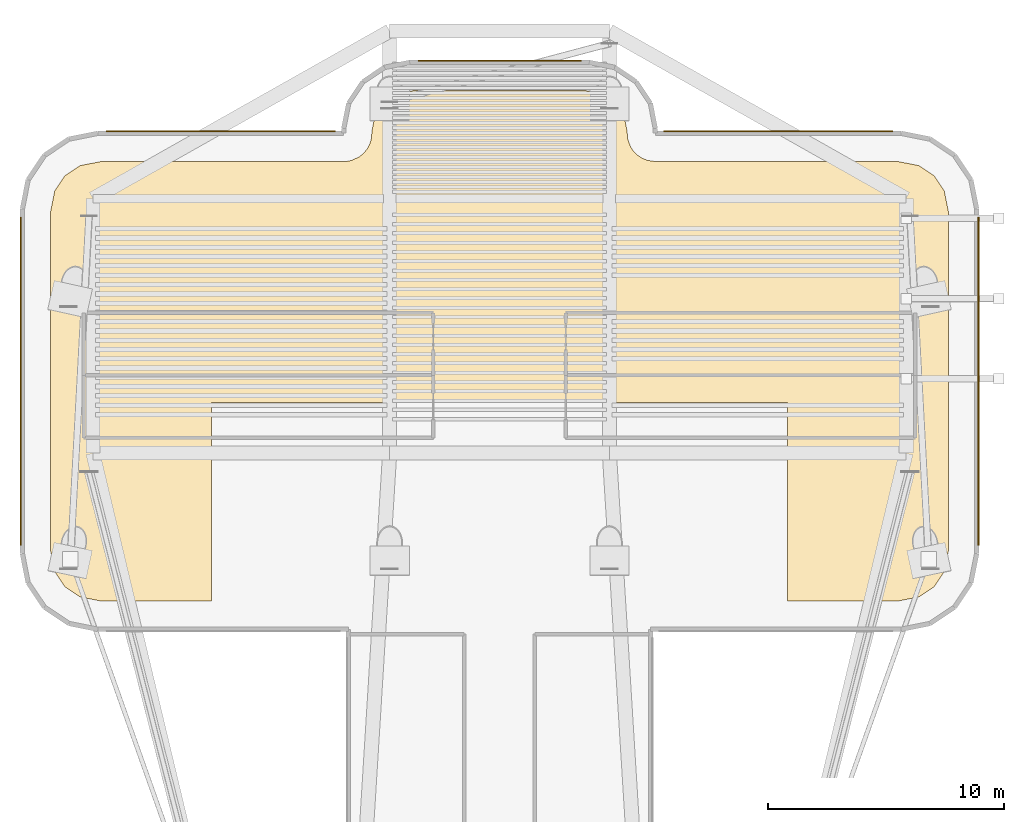
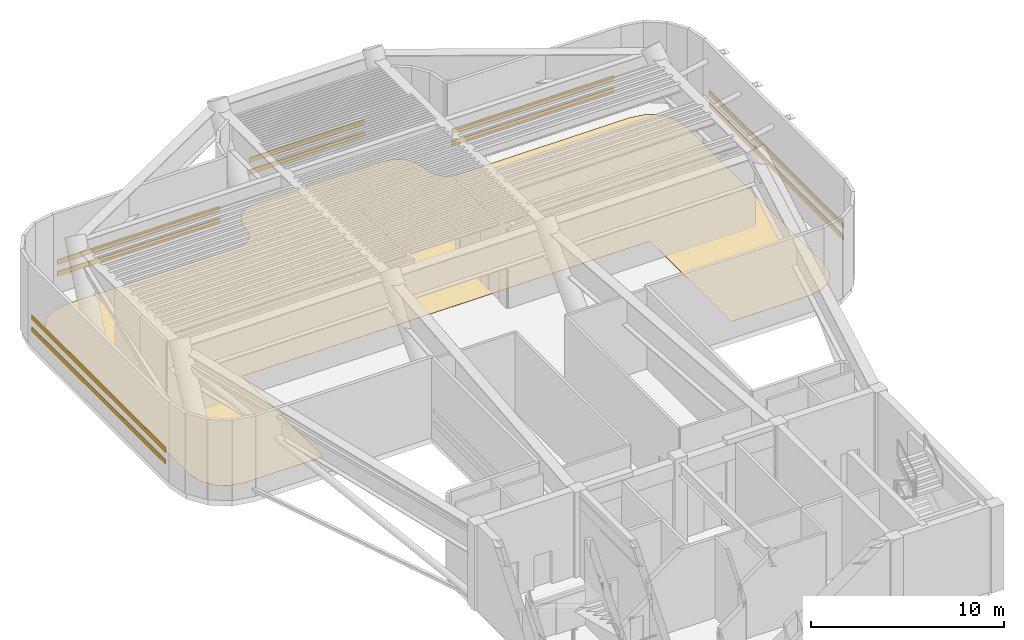
# One storey, part 11 of 11: 10 shading devices, 1 covering.
"""IFC4 building model written with IfcOpenShell, lengths in metres."""

from ifc_helpers import new_model, si_unit, direction, frame, origin, origin_2d, place, context, subcontext, project, spatial, polyline, rectangle, outline, extrude, source, transform, mapped, material, layer, layer_set, material_profile, profile_set, type_object, element, save


model = new_model("IFC4")

# Units and contexts
model_context = context("Model", 3, precision=1e-05, world=origin(), true_north=direction((0.0, 1.0)))
body_context = subcontext(model_context, "Body", "Model", "MODEL_VIEW")
ifc_project = project(units=[si_unit("LENGTHUNIT", "METRE"), si_unit("AREAUNIT", "SQUARE_METRE"), si_unit("VOLUMEUNIT", "CUBIC_METRE"), si_unit("PLANEANGLEUNIT", "RADIAN"), si_unit("MASSUNIT", "GRAM", prefix="KILO")], contexts=[model_context])

# Site, building, storey
site_placement = place(None, origin())
site = spatial("IfcSite", under=ifc_project, at=site_placement, CompositionType="ELEMENT")
building_placement = place(site_placement, origin())
building = spatial("IfcBuilding", under=site, at=building_placement, Name="Brelvock Crest Care Tower", CompositionType="ELEMENT")
storey_placement = place(building_placement, frame((0.0, 0.0, 213.1201171875)))
storey = spatial("IfcBuildingStorey", under=building, at=storey_placement, Name="L54", CompositionType="ELEMENT", Elevation=213.1201171875)

# Covering
ifc_material_1 = material(Name="Elastomeric Waterproofing Membrane", Category="membrane")
ifc_layer = layer(ifc_material_1, 0.011962890625, Name="COV-RFM1")
ifc_layer_set = layer_set([ifc_layer], Name="Elastomeric Waterproofing Membrane")
covering_type = type_object("IfcCoveringType", Name="COV-RFM1", PredefinedType="MEMBRANE", material=ifc_layer_set)
covering_placement = place(storey_placement, frame((0.0, 0.0, 0.015869140625)))
element("IfcCovering", 1, at=covering_placement, inside=storey, type_object=covering_type, Name="L54 Waterproofing Membrane 1", PredefinedType="MEMBRANE", context=body_context, shape_type="SweptSolid", body=[
    extrude(outline(polyline([(23.800048828125, 33.60009765625), (23.800048828125, 42.0), (48.199951171875, 42.0), (48.199951171875, 33.60009765625), (52.8818359375, 33.60009765625), (53.75634765625, 33.77392578125), (54.397705078125, 34.202392578125), (54.825927734375, 34.843505859375), (55.0, 35.71826171875), (55.0, 50.081787109375), (54.825927734375, 50.956298828125), (54.397705078125, 51.59765625), (53.75634765625, 52.02587890625), (52.8818359375, 52.199951171875), (42.60009765625, 52.199951171875), (42.251708984375, 52.251708984375), (42.0341796875, 52.341796875), (41.838623046875, 52.472412109375), (41.67236328125, 52.638671875), (41.541748046875, 52.834228515625), (41.423095703125, 53.166015625), (41.39990234375, 53.481689453125), (41.256591796875, 54.203369140625), (40.914794921875, 54.71484375), (40.4033203125, 55.056396484375), (39.681884765625, 55.199951171875), (32.318115234375, 55.199951171875), (31.5966796875, 55.056396484375), (31.085205078125, 54.71484375), (30.743408203125, 54.203369140625), (30.60009765625, 53.481689453125), (30.576904296875, 53.166015625), (30.5087890625, 52.94091796875), (30.397705078125, 52.7333984375), (30.24853515625, 52.551513671875), (30.066650390625, 52.402099609375), (29.748291015625, 52.251708984375), (29.517578125, 52.205810546875), (19.1181640625, 52.199951171875), (18.24365234375, 52.02587890625), (17.602294921875, 51.59765625), (17.174072265625, 50.956298828125), (17.0, 50.081787109375), (17.0, 35.71826171875), (17.174072265625, 34.843505859375), (17.602294921875, 34.202392578125), (18.24365234375, 33.77392578125), (19.1181640625, 33.60009765625), (23.800048828125, 33.60009765625)])), origin(), (0.0, 0.0, 1.0), 0.011962890625),
])

# Shading devices
ifc_material_2 = material(Name="Aluminium 6063-T6", Category="aluminium")
ifc_material_profile_1 = material_profile(ifc_material_2, rectangle(XDim=0.044921875, YDim=0.300048828125, at=origin_2d()), Name="LOUVRE45x300")
ifc_profile_set_1 = profile_set([ifc_material_profile_1], Name="Aluminium 6063-T6")
shading_device_type_1 = type_object("IfcShadingDeviceType", Name="SHD-LV1", PredefinedType="JALOUSIE", material=ifc_profile_set_1)
shared_shape_1 = source(origin(), body_context, "Body", "SweptSolid", [
    extrude(rectangle(XDim=0.044921875, YDim=0.300048828125, at=origin_2d()), origin(), (0.0, 0.0, 1.0), 6.89990234375),
])
for number, where, z_axis, x_axis, name in (
    (2, (32.550048828125, 56.47509765625, 1.099853515625), (1.0, 0.0, 0.0), (0.0, 1.0, 0.0), "L54 Crown Acoustic Louvre 28-1"),
    (3, (32.550048828125, 56.47509765625, 1.849853515625), (1.0, 0.0, 0.0), (0.0, 1.0, 0.0), "L54 Crown Acoustic Louvre 28-2"),
):
    element("IfcShadingDevice", number, at=place(storey_placement, frame(where, z_axis=z_axis, x_axis=x_axis)), inside=storey, type_object=shading_device_type_1, Name=name, PredefinedType="JALOUSIE", context=body_context, shape_type="MappedRepresentation", body=[
        mapped(shared_shape_1, transform((0.0, 0.0, 0.0), x_axis=(1.0, 0.0, 0.0), y_axis=(0.0, 1.0, 0.0), z_axis=(0.0, 0.0, 1.0), scale=1.0)),
    ])
ifc_material_profile_2 = material_profile(ifc_material_2, rectangle(XDim=0.044921875, YDim=0.300048828125, at=origin_2d()), Name="LOUVRE45x300")
ifc_profile_set_2 = profile_set([ifc_material_profile_2], Name="Aluminium 6063-T6")
shading_device_type_2 = type_object("IfcShadingDeviceType", Name="SHD-SH1", PredefinedType="SHUTTER", material=ifc_profile_set_2)
shared_shape_2 = source(origin(), body_context, "Body", "SweptSolid", [
    extrude(rectangle(XDim=0.044921875, YDim=0.300048828125, at=origin_2d()), origin(), (0.0, 0.0, 1.0), 13.900146484375),
])
for number, where, z_axis, x_axis, name in (
    (4, (15.72509765625, 35.949951171875, 1.099853515625), (0.0, 1.0, 0.0), (-1.0, 0.0, 0.0), "L54 Crown Acoustic Louvre 17-1"),
    (5, (15.72509765625, 35.949951171875, 1.849853515625), (0.0, 1.0, 0.0), (-1.0, 0.0, 0.0), "L54 Crown Acoustic Louvre 17-2"),
    (6, (56.27490234375, 49.85009765625, 1.099853515625), (0.0, -1.0, 0.0), (1.0, 0.0, 0.0), "L54 Crown Acoustic Louvre 39-1"),
    (7, (56.27490234375, 49.85009765625, 1.849853515625), (0.0, -1.0, 0.0), (1.0, 0.0, 0.0), "L54 Crown Acoustic Louvre 39-2"),
):
    element("IfcShadingDevice", number, at=place(storey_placement, frame(where, z_axis=z_axis, x_axis=x_axis)), inside=storey, type_object=shading_device_type_2, Name=name, PredefinedType="SHUTTER", context=body_context, shape_type="MappedRepresentation", body=[
        mapped(shared_shape_2, transform((0.0, 0.0, 0.0), x_axis=(1.0, 0.0, 0.0), y_axis=(0.0, 1.0, 0.0), z_axis=(0.0, 0.0, 1.0), scale=1.0)),
    ])
shared_shape_3 = source(origin(), body_context, "Body", "SweptSolid", [
    extrude(rectangle(XDim=0.044921875, YDim=0.300048828125, at=origin_2d()), origin(), (0.0, 0.0, 1.0), 9.699951171875),
])
for number, where, z_axis, x_axis, name in (
    (8, (19.35009765625, 53.47509765625, 1.099853515625), (1.0, 0.0, 0.0), (0.0, 1.0, 0.0), "L54 Crown Acoustic Louvre 22-1"),
    (9, (19.35009765625, 53.47509765625, 1.849853515625), (1.0, 0.0, 0.0), (0.0, 1.0, 0.0), "L54 Crown Acoustic Louvre 22-2"),
    (10, (42.949951171875, 53.47509765625, 1.099853515625), (1.0, 0.0, 0.0), (0.0, 1.0, 0.0), "L54 Crown Acoustic Louvre 34-1"),
    (11, (42.949951171875, 53.47509765625, 1.849853515625), (1.0, 0.0, 0.0), (0.0, 1.0, 0.0), "L54 Crown Acoustic Louvre 34-2"),
):
    element("IfcShadingDevice", number, at=place(storey_placement, frame(where, z_axis=z_axis, x_axis=x_axis)), inside=storey, type_object=shading_device_type_1, Name=name, PredefinedType="JALOUSIE", context=body_context, shape_type="MappedRepresentation", body=[
        mapped(shared_shape_3, transform((0.0, 0.0, 0.0), x_axis=(1.0, 0.0, 0.0), y_axis=(0.0, 1.0, 0.0), z_axis=(0.0, 0.0, 1.0), scale=1.0)),
    ])

save(model, "model.ifc")
